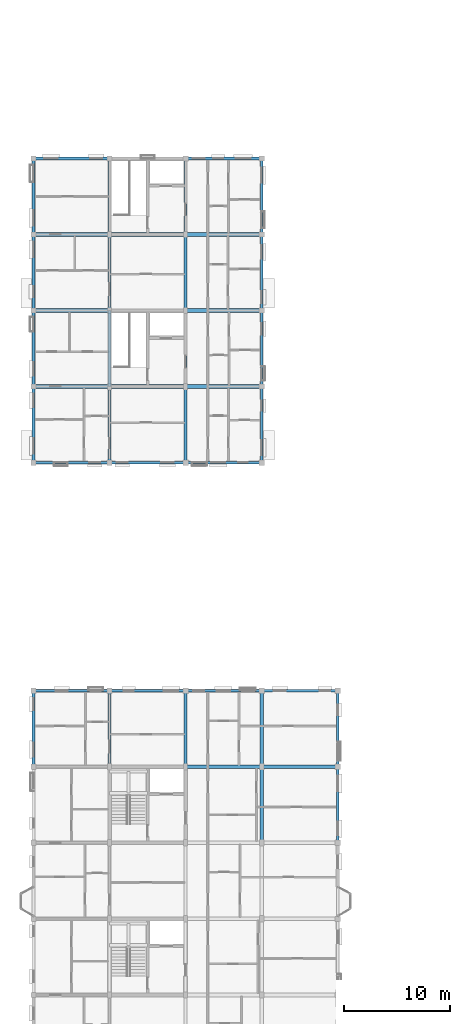
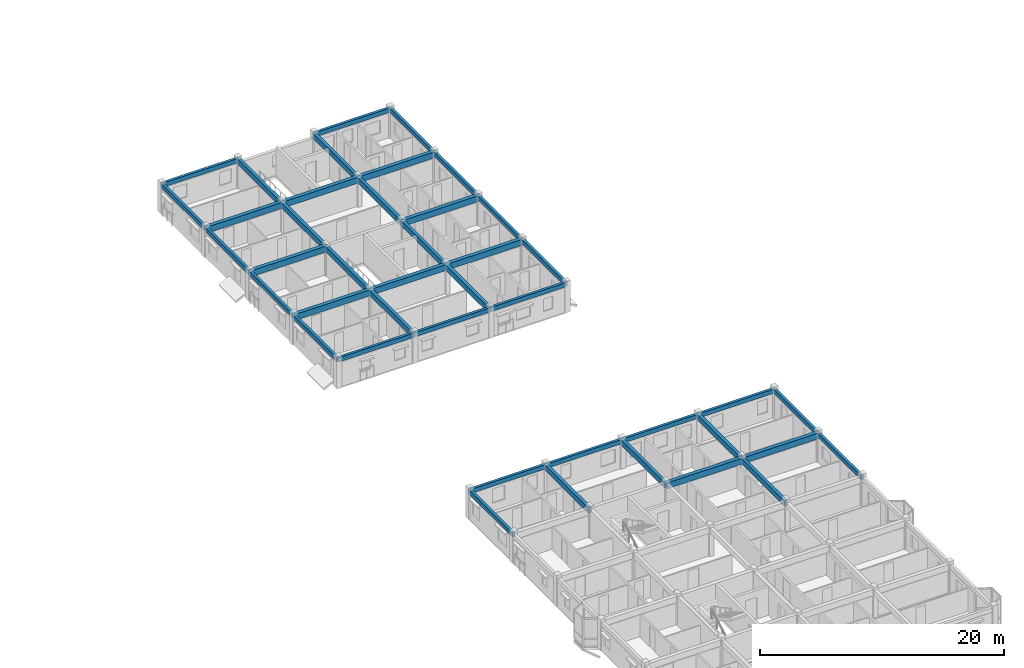
# One storey, part 13 of 64: 42 beams.
"""IFC4 building model written with IfcOpenShell, lengths in metres."""

from ifc_helpers import new_model, si_unit, direction, frame, origin, origin_2d, place, context, subcontext, project, spatial, rectangle, extrude, material, material_profile, profile_set, type_object, element, save


model = new_model("IFC4")

# Units and contexts
model_context = context("Model", 3, precision=1e-05, world=origin(), true_north=direction((0.0, 1.0)))
body_context = subcontext(model_context, "Body", "Model", "MODEL_VIEW")
ifc_project = project(units=[si_unit("LENGTHUNIT", "METRE"), si_unit("AREAUNIT", "SQUARE_METRE"), si_unit("VOLUMEUNIT", "CUBIC_METRE"), si_unit("PLANEANGLEUNIT", "RADIAN"), si_unit("MASSUNIT", "GRAM", prefix="KILO"), si_unit("THERMODYNAMICTEMPERATUREUNIT", "KELVIN"), si_unit("POWERUNIT", "WATT")], contexts=[model_context])

# Site, building, storey
site_placement = place(None, origin())
site = spatial("IfcSite", under=ifc_project, at=site_placement, CompositionType="ELEMENT")
building_placement = place(site_placement, origin())
building = spatial("IfcBuilding", under=site, at=building_placement, Name="Tavuni Mirador Residences", CompositionType="ELEMENT")
storey_placement = place(building_placement, frame((0.0, 0.0, 26.550048828125)))
storey = spatial("IfcBuildingStorey", under=building, at=storey_placement, Name="L08", CompositionType="ELEMENT", Elevation=26.550048828125)

# Beams
ifc_material = material(Name="Precast concrete C40/50", Category="concrete")
ifc_material_profile_1 = material_profile(ifc_material, rectangle(XDim=0.300048828125, YDim=0.550048828125, at=origin_2d()), Name="PC 300x550", Category="concrete")
ifc_profile_set_1 = profile_set([ifc_material_profile_1], Name="Precast concrete C40/50")
beam_type_1 = type_object("IfcBeamType", Name="BT-B550", PredefinedType="BEAM", material=ifc_profile_set_1)
for number, where, z_axis, x_axis, name in (
    (1, (10.800048828125, 36.0, 2.594970703125), (0.0, 1.0, 0.0), (-1.0, 0.0, 0.0), "BMY-BLK-A-L08-01-04"),
    (2, (18.0, 36.0, 2.594970703125), (0.0, 1.0, 0.0), (-1.0, 0.0, 0.0), "BMY-BLK-A-L08-02-04"),
    (3, (25.199951171875, 28.800048828125, 2.594970703125), (0.0, 1.0, 0.0), (-1.0, 0.0, 0.0), "BMY-BLK-A-L08-03-03"),
    (4, (25.199951171875, 36.0, 2.594970703125), (0.0, 1.0, 0.0), (-1.0, 0.0, 0.0), "BMY-BLK-A-L08-03-04"),
    (5, (10.800048828125, 64.800048828125, 2.64501953125), (0.0, 1.0, 0.0), (-1.0, 0.0, 0.0), "BMY-BLK-B-L08-01-00"),
    (6, (10.800048828125, 72.0, 2.64501953125), (0.0, 1.0, 0.0), (-1.0, 0.0, 0.0), "BMY-BLK-B-L08-01-01"),
    (7, (10.800048828125, 79.199951171875, 2.64501953125), (0.0, 1.0, 0.0), (-1.0, 0.0, 0.0), "BMY-BLK-B-L08-01-02"),
):
    element("IfcBeam", number, at=place(storey_placement, frame(where, z_axis=z_axis, x_axis=x_axis)), inside=storey, type_object=beam_type_1, Name=name, PredefinedType="BEAM", context=body_context, shape_type="SweptSolid", body=[
        extrude(rectangle(XDim=0.300048828125, YDim=0.550048828125, at=origin_2d()), origin(), (0.0, 0.0, 1.0), 7.199951171875),
    ])
beam_1_placement = place(storey_placement, frame((10.800048828125, 86.39990234375, 2.64501953125), z_axis=(0.0, 1.0, 0.0), x_axis=(-1.0, 0.0, 0.0)))
element("IfcBeam", 8, at=beam_1_placement, inside=storey, type_object=beam_type_1, Name="BMY-BLK-B-L08-01-03", PredefinedType="BEAM", context=body_context, shape_type="SweptSolid", body=[
    extrude(rectangle(XDim=0.300048828125, YDim=0.550048828125, at=origin_2d()), origin(), (0.0, 0.0, 1.0), 7.2001953125),
])
for number, where, z_axis, x_axis, name in (
    (9, (18.0, 64.800048828125, 2.64501953125), (0.0, 1.0, 0.0), (-1.0, 0.0, 0.0), "BMY-BLK-B-L08-02-00"),
    (10, (18.0, 72.0, 2.64501953125), (0.0, 1.0, 0.0), (-1.0, 0.0, 0.0), "BMY-BLK-B-L08-02-01"),
    (11, (18.0, 79.199951171875, 2.64501953125), (0.0, 1.0, 0.0), (-1.0, 0.0, 0.0), "BMY-BLK-B-L08-02-02"),
):
    element("IfcBeam", number, at=place(storey_placement, frame(where, z_axis=z_axis, x_axis=x_axis)), inside=storey, type_object=beam_type_1, Name=name, PredefinedType="BEAM", context=body_context, shape_type="SweptSolid", body=[
        extrude(rectangle(XDim=0.300048828125, YDim=0.550048828125, at=origin_2d()), origin(), (0.0, 0.0, 1.0), 7.199951171875),
    ])
beam_2_placement = place(storey_placement, frame((18.0, 86.39990234375, 2.64501953125), z_axis=(0.0, 1.0, 0.0), x_axis=(-1.0, 0.0, 0.0)))
element("IfcBeam", 12, at=beam_2_placement, inside=storey, type_object=beam_type_1, Name="BMY-BLK-B-L08-02-03", PredefinedType="BEAM", context=body_context, shape_type="SweptSolid", body=[
    extrude(rectangle(XDim=0.300048828125, YDim=0.550048828125, at=origin_2d()), origin(), (0.0, 0.0, 1.0), 7.2001953125),
])
ifc_material_profile_2 = material_profile(ifc_material, rectangle(XDim=0.35009765625, YDim=0.60009765625, at=origin_2d()), Name="PC 350x600", Category="concrete")
ifc_profile_set_2 = profile_set([ifc_material_profile_2], Name="Precast concrete C40/50")
beam_type_2 = type_object("IfcBeamType", Name="BT-B600", PredefinedType="BEAM", material=ifc_profile_set_2)
for number, where, z_axis, x_axis, name in (
    (13, (18.0, 36.0, 2.570068359375), (1.0, 0.0, 0.0), (0.0, 1.0, 0.0), "BMX-BLK-A-L08-02-04"),
    (14, (25.199951171875, 36.0, 2.570068359375), (1.0, 0.0, 0.0), (0.0, 1.0, 0.0), "BMX-BLK-A-L08-03-04"),
    (15, (3.60009765625, 72.0, 2.619873046875), (1.0, 0.0, 0.0), (0.0, 1.0, 0.0), "BMX-BLK-B-L08-00-01"),
    (16, (10.800048828125, 72.0, 2.619873046875), (1.0, 0.0, 0.0), (0.0, 1.0, 0.0), "BMX-BLK-B-L08-01-01"),
    (17, (18.0, 72.0, 2.619873046875), (1.0, 0.0, 0.0), (0.0, 1.0, 0.0), "BMX-BLK-B-L08-02-01"),
    (18, (3.60009765625, 79.199951171875, 2.619873046875), (1.0, 0.0, 0.0), (0.0, 1.0, 0.0), "BMX-BLK-B-L08-00-02"),
    (19, (18.0, 79.199951171875, 2.619873046875), (1.0, 0.0, 0.0), (0.0, 1.0, 0.0), "BMX-BLK-B-L08-02-02"),
    (20, (3.60009765625, 86.39990234375, 2.619873046875), (1.0, 0.0, 0.0), (0.0, 1.0, 0.0), "BMX-BLK-B-L08-00-03"),
    (21, (10.800048828125, 86.39990234375, 2.619873046875), (1.0, 0.0, 0.0), (0.0, 1.0, 0.0), "BMX-BLK-B-L08-01-03"),
    (22, (18.0, 86.39990234375, 2.619873046875), (1.0, 0.0, 0.0), (0.0, 1.0, 0.0), "BMX-BLK-B-L08-02-03"),
):
    element("IfcBeam", number, at=place(storey_placement, frame(where, z_axis=z_axis, x_axis=x_axis)), inside=storey, type_object=beam_type_2, Name=name, PredefinedType="BEAM", context=body_context, shape_type="SweptSolid", body=[
        extrude(rectangle(XDim=0.35009765625, YDim=0.60009765625, at=origin_2d()), origin(), (0.0, 0.0, 1.0), 7.199951171875),
    ])
ifc_material_profile_3 = material_profile(ifc_material, rectangle(XDim=0.25, YDim=0.419921875, at=origin_2d()), Name="PC 250x420", Category="concrete")
ifc_profile_set_3 = profile_set([ifc_material_profile_3], Name="Precast concrete C40/50")
beam_type_3 = type_object("IfcBeamType", Name="BT-SP420", PredefinedType="SPANDREL", material=ifc_profile_set_3)
for number, where, z_axis, x_axis, name in (
    (23, (3.60009765625, 43.199951171875, 2.659912109375), (1.0, 0.0, 0.0), (0.0, 1.0, 0.0), "BMX-BLK-A-L08-00-05"),
    (24, (10.800048828125, 43.199951171875, 2.659912109375), (1.0, 0.0, 0.0), (0.0, 1.0, 0.0), "BMX-BLK-A-L08-01-05"),
    (25, (18.0, 43.199951171875, 2.659912109375), (1.0, 0.0, 0.0), (0.0, 1.0, 0.0), "BMX-BLK-A-L08-02-05"),
    (26, (25.199951171875, 43.199951171875, 2.659912109375), (1.0, 0.0, 0.0), (0.0, 1.0, 0.0), "BMX-BLK-A-L08-03-05"),
    (27, (3.60009765625, 36.0, 2.659912109375), (0.0, 1.0, 0.0), (-1.0, 0.0, 0.0), "BMY-BLK-A-L08-00-04"),
    (28, (32.39990234375, 28.800048828125, 2.659912109375), (0.0, 1.0, 0.0), (-1.0, 0.0, 0.0), "BMY-BLK-A-L08-04-03"),
    (29, (32.39990234375, 36.0, 2.659912109375), (0.0, 1.0, 0.0), (-1.0, 0.0, 0.0), "BMY-BLK-A-L08-04-04"),
    (30, (3.60009765625, 64.800048828125, 2.7099609375), (1.0, 0.0, 0.0), (0.0, 1.0, 0.0), "BMX-BLK-B-L08-00-00"),
    (31, (10.800048828125, 64.800048828125, 2.7099609375), (1.0, 0.0, 0.0), (0.0, 1.0, 0.0), "BMX-BLK-B-L08-01-00"),
    (32, (18.0, 64.800048828125, 2.7099609375), (1.0, 0.0, 0.0), (0.0, 1.0, 0.0), "BMX-BLK-B-L08-02-00"),
    (33, (3.60009765625, 93.60009765625, 2.7099609375), (1.0, 0.0, 0.0), (0.0, 1.0, 0.0), "BMX-BLK-B-L08-00-04"),
    (34, (18.0, 93.60009765625, 2.7099609375), (1.0, 0.0, 0.0), (0.0, 1.0, 0.0), "BMX-BLK-B-L08-02-04"),
    (35, (3.60009765625, 64.800048828125, 2.7099609375), (0.0, 1.0, 0.0), (-1.0, 0.0, 0.0), "BMY-BLK-B-L08-00-00"),
    (36, (3.60009765625, 72.0, 2.7099609375), (0.0, 1.0, 0.0), (-1.0, 0.0, 0.0), "BMY-BLK-B-L08-00-01"),
    (37, (3.60009765625, 79.199951171875, 2.7099609375), (0.0, 1.0, 0.0), (-1.0, 0.0, 0.0), "BMY-BLK-B-L08-00-02"),
):
    element("IfcBeam", number, at=place(storey_placement, frame(where, z_axis=z_axis, x_axis=x_axis)), inside=storey, type_object=beam_type_3, Name=name, PredefinedType="SPANDREL", context=body_context, shape_type="SweptSolid", body=[
        extrude(rectangle(XDim=0.25, YDim=0.419921875, at=origin_2d()), origin(), (0.0, 0.0, 1.0), 7.199951171875),
    ])
beam_3_placement = place(storey_placement, frame((3.60009765625, 86.39990234375, 2.7099609375), z_axis=(0.0, 1.0, 0.0), x_axis=(-1.0, 0.0, 0.0)))
element("IfcBeam", 38, at=beam_3_placement, inside=storey, type_object=beam_type_3, Name="BMY-BLK-B-L08-00-03", PredefinedType="SPANDREL", context=body_context, shape_type="SweptSolid", body=[
    extrude(rectangle(XDim=0.25, YDim=0.419921875, at=origin_2d()), origin(), (0.0, 0.0, 1.0), 7.2001953125),
])
for number, where, z_axis, x_axis, name in (
    (39, (25.199951171875, 64.800048828125, 2.7099609375), (0.0, 1.0, 0.0), (-1.0, 0.0, 0.0), "BMY-BLK-B-L08-03-00"),
    (40, (25.199951171875, 72.0, 2.7099609375), (0.0, 1.0, 0.0), (-1.0, 0.0, 0.0), "BMY-BLK-B-L08-03-01"),
    (41, (25.199951171875, 79.199951171875, 2.7099609375), (0.0, 1.0, 0.0), (-1.0, 0.0, 0.0), "BMY-BLK-B-L08-03-02"),
):
    element("IfcBeam", number, at=place(storey_placement, frame(where, z_axis=z_axis, x_axis=x_axis)), inside=storey, type_object=beam_type_3, Name=name, PredefinedType="SPANDREL", context=body_context, shape_type="SweptSolid", body=[
        extrude(rectangle(XDim=0.25, YDim=0.419921875, at=origin_2d()), origin(), (0.0, 0.0, 1.0), 7.199951171875),
    ])
beam_4_placement = place(storey_placement, frame((25.199951171875, 86.39990234375, 2.7099609375), z_axis=(0.0, 1.0, 0.0), x_axis=(-1.0, 0.0, 0.0)))
element("IfcBeam", 42, at=beam_4_placement, inside=storey, type_object=beam_type_3, Name="BMY-BLK-B-L08-03-03", PredefinedType="SPANDREL", context=body_context, shape_type="SweptSolid", body=[
    extrude(rectangle(XDim=0.25, YDim=0.419921875, at=origin_2d()), origin(), (0.0, 0.0, 1.0), 7.2001953125),
])

save(model, "model.ifc")
